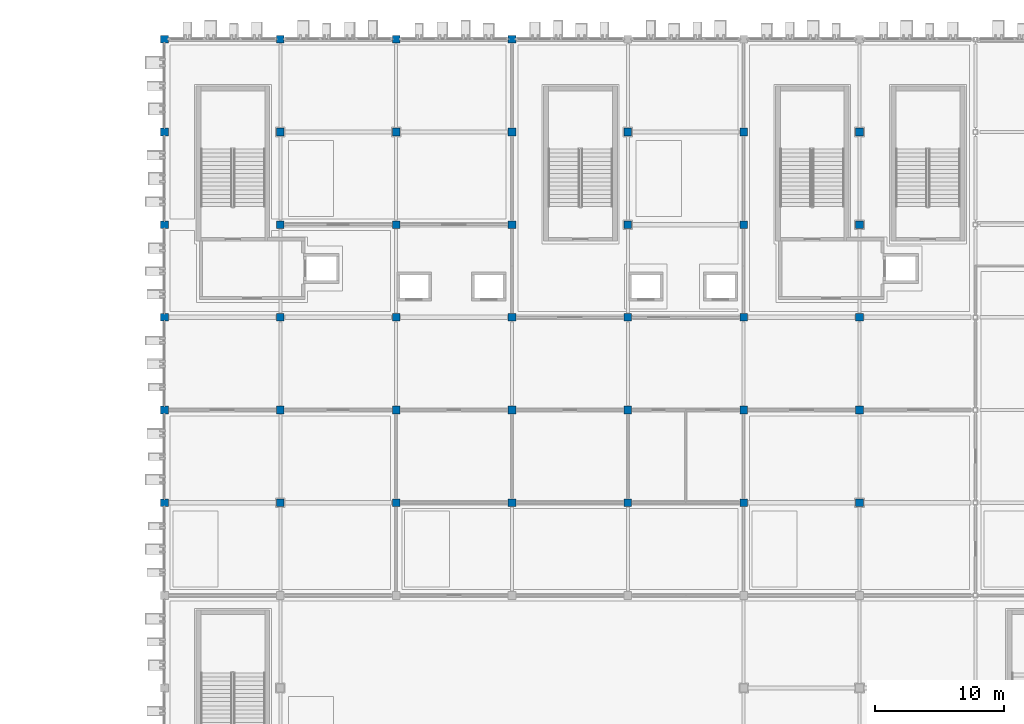
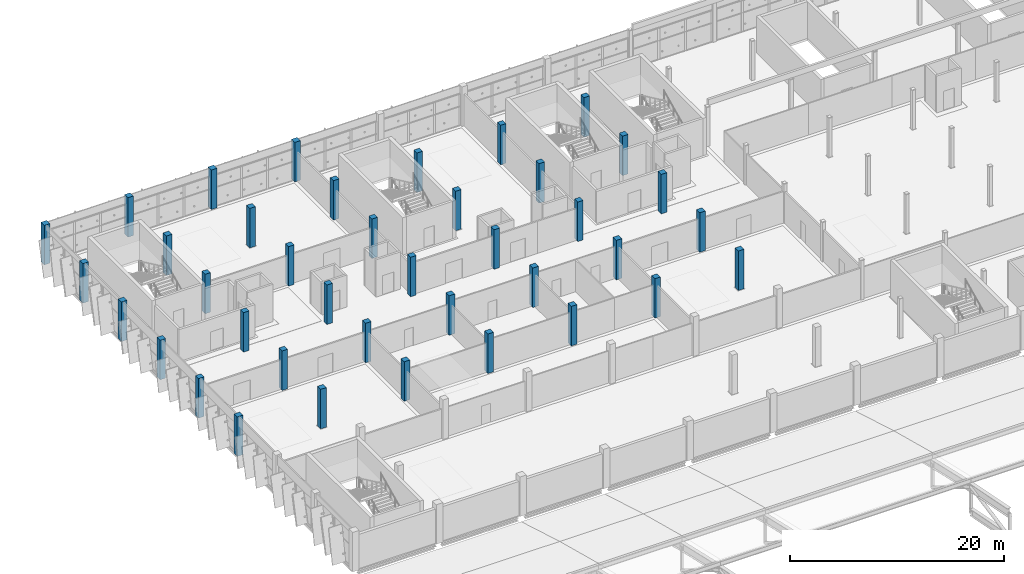
# One storey, part 6 of 124: 39 columns.
"""IFC4 building model written with IfcOpenShell, lengths in metres."""

from ifc_helpers import new_model, si_unit, direction, frame, origin, origin_2d, place, context, subcontext, project, spatial, rectangle, extrude, material, material_profile, profile_set, type_object, element, save


model = new_model("IFC4")

# Units and contexts
model_context = context("Model", 3, precision=1e-05, world=origin(), true_north=direction((0.0, 1.0)))
body_context = subcontext(model_context, "Body", "Model", "MODEL_VIEW")
ifc_project = project(units=[si_unit("LENGTHUNIT", "METRE"), si_unit("AREAUNIT", "SQUARE_METRE"), si_unit("VOLUMEUNIT", "CUBIC_METRE"), si_unit("PLANEANGLEUNIT", "RADIAN"), si_unit("MASSUNIT", "GRAM", prefix="KILO")], contexts=[model_context])

# Site, building, storey
site_placement = place(None, origin())
site = spatial("IfcSite", under=ifc_project, at=site_placement, CompositionType="ELEMENT")
building_placement = place(site_placement, origin())
building = spatial("IfcBuilding", under=site, at=building_placement, Name="Celestram Park Convention Centre", CompositionType="ELEMENT")
storey_placement = place(building_placement, frame((0.0, 0.0, 15.300048828125)))
storey = spatial("IfcBuildingStorey", under=building, at=storey_placement, Name="L03", CompositionType="ELEMENT", Elevation=15.300048828125)

# Columns
ifc_material = material(Name="Concrete C40/50", Category="concrete")
ifc_material_profile = material_profile(ifc_material, rectangle(XDim=0.60009765625, YDim=0.60009765625, at=origin_2d()), Name="RC600X600")
ifc_profile_set = profile_set([ifc_material_profile], Name="Concrete C40/50")
column_type = type_object("IfcColumnType", Name="STR-COL-RC600", PredefinedType="COLUMN", material=ifc_profile_set)
for number, where, z_axis, x_axis, name in (
    (1, (36.0, 129.60009765625, 0.0), (0.0, 0.0, 1.0), (1.0, 0.0, 0.0), "Column CN-L03-004"),
    (2, (36.0, 136.800048828125, 0.0), (0.0, 0.0, 1.0), (1.0, 0.0, 0.0), "Column CN-L03-005"),
    (3, (36.0, 144.0, 0.0), (0.0, 0.0, 1.0), (1.0, 0.0, 0.0), "Column CN-L03-006"),
    (4, (36.0, 151.199951171875, 0.0), (0.0, 0.0, 1.0), (1.0, 0.0, 0.0), "Column CN-L03-007"),
    (5, (36.0, 158.39990234375, 0.0), (0.0, 0.0, 1.0), (1.0, 0.0, 0.0), "Column CN-L03-008"),
    (6, (36.0, 165.60009765625, 0.0), (0.0, 0.0, 1.0), (1.0, 0.0, 0.0), "Column CN-L03-009"),
    (7, (45.0, 129.60009765625, 0.0), (0.0, 0.0, 1.0), (1.0, 0.0, 0.0), "Column CN-L03-013"),
    (8, (45.0, 136.800048828125, 0.0), (0.0, 0.0, 1.0), (1.0, 0.0, 0.0), "Column CN-L03-014"),
    (9, (45.0, 144.0, 0.0), (0.0, 0.0, 1.0), (1.0, 0.0, 0.0), "Column CN-L03-015"),
    (10, (45.0, 151.199951171875, 0.0), (0.0, 0.0, 1.0), (1.0, 0.0, 0.0), "Column CN-L03-016"),
    (11, (45.0, 158.39990234375, 0.0), (0.0, 0.0, 1.0), (1.0, 0.0, 0.0), "Column CN-L03-017"),
    (12, (45.0, 165.60009765625, 0.0), (0.0, 0.0, 1.0), (1.0, 0.0, 0.0), "Column CN-L03-018"),
    (13, (54.0, 129.60009765625, 0.0), (0.0, 0.0, 1.0), (1.0, 0.0, 0.0), "Column CN-L03-021"),
    (14, (54.0, 136.800048828125, 0.0), (0.0, 0.0, 1.0), (1.0, 0.0, 0.0), "Column CN-L03-022"),
    (15, (54.0, 144.0, 0.0), (0.0, 0.0, 1.0), (1.0, 0.0, 0.0), "Column CN-L03-023"),
    (16, (54.0, 151.199951171875, 0.0), (0.0, 0.0, 1.0), (1.0, 0.0, 0.0), "Column CN-L03-024"),
    (17, (54.0, 158.39990234375, 0.0), (0.0, 0.0, 1.0), (1.0, 0.0, 0.0), "Column CN-L03-025"),
    (18, (54.0, 165.60009765625, 0.0), (0.0, 0.0, 1.0), (1.0, 0.0, 0.0), "Column CN-L03-026"),
    (19, (63.0, 129.60009765625, 0.0), (0.0, 0.0, 1.0), (1.0, 0.0, 0.0), "Column CN-L03-029"),
    (20, (63.0, 136.800048828125, 0.0), (0.0, 0.0, 1.0), (1.0, 0.0, 0.0), "Column CN-L03-030"),
    (21, (63.0, 144.0, 0.0), (0.0, 0.0, 1.0), (1.0, 0.0, 0.0), "Column CN-L03-031"),
    (22, (63.0, 151.199951171875, 0.0), (0.0, 0.0, 1.0), (1.0, 0.0, 0.0), "Column CN-L03-032"),
    (23, (63.0, 158.39990234375, 0.0), (0.0, 0.0, 1.0), (1.0, 0.0, 0.0), "Column CN-L03-033"),
    (24, (63.0, 165.60009765625, 0.0), (0.0, 0.0, 1.0), (1.0, 0.0, 0.0), "Column CN-L03-034"),
    (25, (72.0, 129.60009765625, 0.0), (0.0, 0.0, 1.0), (1.0, 0.0, 0.0), "Column CN-L03-037"),
    (26, (72.0, 136.800048828125, 0.0), (0.0, 0.0, 1.0), (1.0, 0.0, 0.0), "Column CN-L03-038"),
    (27, (72.0, 144.0, 0.0), (0.0, 0.0, 1.0), (1.0, 0.0, 0.0), "Column CN-L03-039"),
    (28, (72.0, 151.199951171875, 0.0), (0.0, 0.0, 1.0), (1.0, 0.0, 0.0), "Column CN-L03-040"),
    (29, (72.0, 158.39990234375, 0.0), (0.0, 0.0, 1.0), (1.0, 0.0, 0.0), "Column CN-L03-041"),
    (30, (81.0, 129.60009765625, 0.0), (0.0, 0.0, 1.0), (1.0, 0.0, 0.0), "Column CN-L03-046"),
    (31, (81.0, 136.800048828125, 0.0), (0.0, 0.0, 1.0), (1.0, 0.0, 0.0), "Column CN-L03-047"),
    (32, (81.0, 144.0, 0.0), (0.0, 0.0, 1.0), (1.0, 0.0, 0.0), "Column CN-L03-048"),
    (33, (81.0, 151.199951171875, 0.0), (0.0, 0.0, 1.0), (1.0, 0.0, 0.0), "Column CN-L03-049"),
    (34, (81.0, 158.39990234375, 0.0), (0.0, 0.0, 1.0), (1.0, 0.0, 0.0), "Column CN-L03-050"),
    (35, (90.0, 129.60009765625, 0.0), (0.0, 0.0, 1.0), (1.0, 0.0, 0.0), "Column CN-L03-055"),
    (36, (90.0, 136.800048828125, 0.0), (0.0, 0.0, 1.0), (1.0, 0.0, 0.0), "Column CN-L03-056"),
    (37, (90.0, 144.0, 0.0), (0.0, 0.0, 1.0), (1.0, 0.0, 0.0), "Column CN-L03-057"),
    (38, (90.0, 151.199951171875, 0.0), (0.0, 0.0, 1.0), (1.0, 0.0, 0.0), "Column CN-L03-058"),
    (39, (90.0, 158.39990234375, 0.0), (0.0, 0.0, 1.0), (1.0, 0.0, 0.0), "Column CN-L03-059"),
):
    element("IfcColumn", number, at=place(storey_placement, frame(where, z_axis=z_axis, x_axis=x_axis)), inside=storey, type_object=column_type, Name=name, PredefinedType="COLUMN", context=body_context, shape_type="SweptSolid", body=[
        extrude(rectangle(XDim=0.60009765625, YDim=0.60009765625, at=origin_2d()), origin(), (0.0, 0.0, 1.0), 4.5),
    ])

save(model, "model.ifc")
